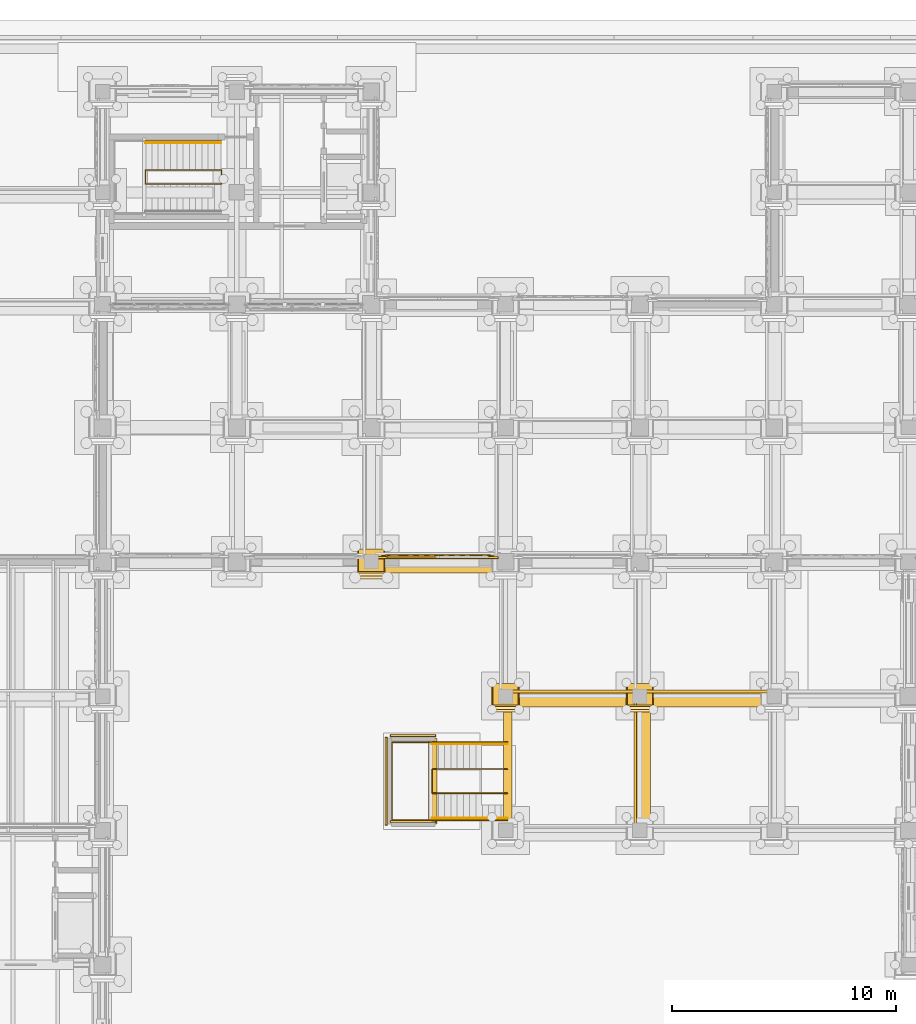
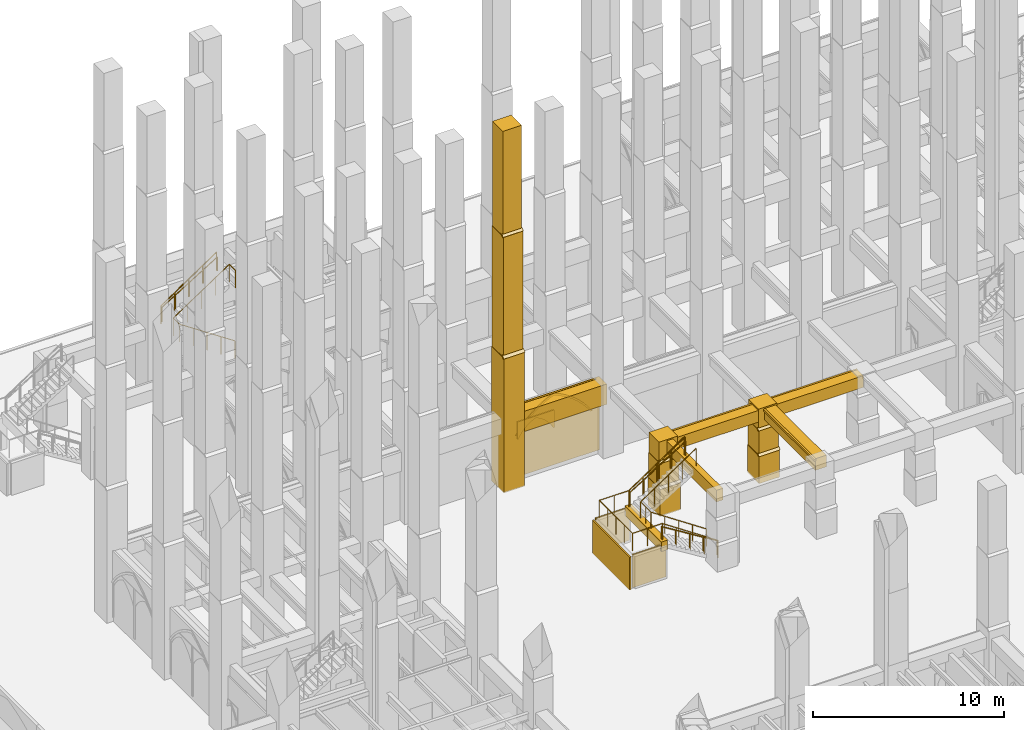
# One storey, part 91 of 135: 31 coverings, 9 railings.
"""IFC4 building model written with IfcOpenShell, lengths in metres."""

from ifc_helpers import new_model, si_unit, direction, frame, origin, origin_2d, place, context, subcontext, project, spatial, polyline, rectangle, circle, outline, extrude, material, type_object, element, save


model = new_model("IFC4")

# Units and contexts
model_context = context("Model", 3, precision=1e-05, world=origin(), true_north=direction((0.0, 1.0)))
body_context = subcontext(model_context, "Body", "Model", "MODEL_VIEW")
ifc_project = project(units=[si_unit("LENGTHUNIT", "METRE"), si_unit("AREAUNIT", "SQUARE_METRE"), si_unit("VOLUMEUNIT", "CUBIC_METRE"), si_unit("PLANEANGLEUNIT", "RADIAN"), si_unit("MASSUNIT", "GRAM", prefix="KILO")], contexts=[model_context])

# Site, building, storey
site_placement = place(None, origin())
site = spatial("IfcSite", under=ifc_project, at=site_placement, CompositionType="ELEMENT")
building_placement = place(site_placement, origin())
building = spatial("IfcBuilding", under=site, at=building_placement, Name="Cumevento Cable Car Station", CompositionType="ELEMENT")
storey_placement = place(building_placement, origin())
storey = spatial("IfcBuildingStorey", under=building, at=storey_placement, Name="L01", CompositionType="ELEMENT", Elevation=0.0)

# Railings
ifc_material_1 = material(Name="Painted Galvanised Architectural Steel", Category="steel")
railing_type_1 = type_object("IfcRailingType", Name="Stair Guardrail GR-S115", PredefinedType="GUARDRAIL", material=ifc_material_1)
railing_1_placement = place(storey_placement, frame((27.280029296875, 61.8701171875, 0.0)))
element("IfcRailing", 1, at=railing_1_placement, inside=storey, type_object=railing_type_1, Name="Stair Well Inner Guardrail ST-04-L01", PredefinedType="GUARDRAIL", context=body_context, shape_type="SweptSolid", body=[
    extrude(circle(Radius=0.02392578125, at=origin_2d()), frame((0.0, 0.0, 1.1259765625), z_axis=(-0.830915400975, 0.0, 0.556398774641), x_axis=(0.0, -1.0, 0.0)), (0.0, 0.0, 1.0), 4.0439453125),
    extrude(circle(Radius=0.02392578125, at=origin_2d()), frame((-3.360107421875, 0.0, 3.3759765625), z_axis=(0.0, 1.0, 0.0), x_axis=(-1.0, 0.0, 0.0)), (0.0, 0.0, 1.0), 0.6298828125),
    extrude(circle(Radius=0.02392578125, at=origin_2d()), frame((-3.360107421875, 0.6298828125, 3.3759765625), z_axis=(0.833193183746, 0.0, 0.552982023722), x_axis=(0.0, 1.0, 0.0)), (0.0, 0.0, 1.0), 4.06884765625),
    extrude(circle(Radius=0.02392578125, at=origin_2d()), frame((0.030029296875, 0.6298828125, 5.6259765625), z_axis=(0.0, -1.0, 0.0), x_axis=(1.0, 0.0, 0.0)), (0.0, 0.0, 1.0), 0.6298828125),
    extrude(circle(Radius=0.02001953125, at=origin_2d()), origin(), (0.0, 0.0, 1.0), 1.101806640625),
    extrude(circle(Radius=0.02001953125, at=origin_2d()), frame((-0.840087890625, 0.0, 0.5625)), (0.0, 0.0, 1.0), 1.101806640625),
    extrude(circle(Radius=0.02001953125, at=origin_2d()), frame((-1.68017578125, 0.0, 1.125)), (0.0, 0.0, 1.0), 1.101806640625),
    extrude(circle(Radius=0.02001953125, at=origin_2d()), frame((-2.52001953125, 0.0, 1.6875)), (0.0, 0.0, 1.0), 1.101806640625),
    extrude(circle(Radius=0.02001953125, at=origin_2d()), frame((-3.360107421875, 0.0, 2.25)), (0.0, 0.0, 1.0), 1.101806640625),
    extrude(circle(Radius=0.02001953125, at=origin_2d()), frame((-3.360107421875, 0.6298828125, 2.25)), (0.0, 0.0, 1.0), 1.101806640625),
    extrude(circle(Radius=0.02001953125, at=origin_2d()), frame((-2.5126953125, 0.6298828125, 2.8125)), (0.0, 0.0, 1.0), 1.101806640625),
    extrude(circle(Radius=0.02001953125, at=origin_2d()), frame((-1.6650390625, 0.6298828125, 3.375)), (0.0, 0.0, 1.0), 1.101806640625),
    extrude(circle(Radius=0.02001953125, at=origin_2d()), frame((-0.8173828125, 0.6298828125, 3.9375)), (0.0, 0.0, 1.0), 1.101806640625),
    extrude(circle(Radius=0.02001953125, at=origin_2d()), frame((0.030029296875, 0.6298828125, 4.5)), (0.0, 0.0, 1.0), 1.101806640625),
    extrude(circle(Radius=0.02001953125, at=origin_2d()), frame((0.030029296875, 0.0, 4.5)), (0.0, 0.0, 1.0), 1.101806640625),
])
railing_2_placement = place(storey_placement, frame((23.919921875, 63.7900390625, 2.25)))
element("IfcRailing", 2, at=railing_2_placement, inside=storey, type_object=railing_type_1, Name="Stair Outer Guardrail ST-04-L01 F2", PredefinedType="GUARDRAIL", context=body_context, shape_type="SweptSolid", body=[
    extrude(circle(Radius=0.02392578125, at=origin_2d()), frame((0.0, 0.0, 1.1259765625), z_axis=(0.830915400975, 0.0, 0.556398774641), x_axis=(0.0, 1.0, 0.0)), (0.0, 0.0, 1.0), 4.0439453125),
    extrude(circle(Radius=0.02001953125, at=origin_2d()), origin(), (0.0, 0.0, 1.0), 1.101806640625),
    extrude(circle(Radius=0.02001953125, at=origin_2d()), frame((0.840087890625, 0.0, 0.5625)), (0.0, 0.0, 1.0), 1.101806640625),
    extrude(circle(Radius=0.02001953125, at=origin_2d()), frame((1.68017578125, 0.0, 1.125)), (0.0, 0.0, 1.0), 1.101806640625),
    extrude(circle(Radius=0.02001953125, at=origin_2d()), frame((2.52001953125, 0.0, 1.6875)), (0.0, 0.0, 1.0), 1.101806640625),
    extrude(circle(Radius=0.02001953125, at=origin_2d()), frame((3.360107421875, 0.0, 2.25)), (0.0, 0.0, 1.0), 1.101806640625),
])
railing_3_placement = place(storey_placement, frame((40.080078125, 34.659912109375, 0.0)))
element("IfcRailing", 3, at=railing_3_placement, inside=storey, type_object=railing_type_1, Name="Stair Well Inner Guardrail ST-14", PredefinedType="GUARDRAIL", context=body_context, shape_type="SweptSolid", body=[
    extrude(circle(Radius=0.02392578125, at=origin_2d()), frame((0.0, 0.0, 1.1259765625), z_axis=(-0.830915400975, 0.0, 0.556398774641), x_axis=(0.0, -1.0, 0.0)), (0.0, 0.0, 1.0), 4.0439453125),
    extrude(circle(Radius=0.02392578125, at=origin_2d()), frame((-3.360107421875, 0.0, 3.3759765625), z_axis=(0.0, 1.0, 0.0), x_axis=(-1.0, 0.0, 0.0)), (0.0, 0.0, 1.0), 1.080078125),
    extrude(circle(Radius=0.02392578125, at=origin_2d()), frame((-3.360107421875, 1.080078125, 3.3759765625), z_axis=(0.830915400975, 0.0, 0.556398774641), x_axis=(0.0, 1.0, 0.0)), (0.0, 0.0, 1.0), 4.0439453125),
    extrude(circle(Radius=0.02001953125, at=origin_2d()), origin(), (0.0, 0.0, 1.0), 1.101806640625),
    extrude(circle(Radius=0.02001953125, at=origin_2d()), frame((-0.840087890625, 0.0, 0.5625)), (0.0, 0.0, 1.0), 1.101806640625),
    extrude(circle(Radius=0.02001953125, at=origin_2d()), frame((-1.68017578125, 0.0, 1.125)), (0.0, 0.0, 1.0), 1.101806640625),
    extrude(circle(Radius=0.02001953125, at=origin_2d()), frame((-2.52001953125, 0.0, 1.6875)), (0.0, 0.0, 1.0), 1.101806640625),
    extrude(circle(Radius=0.02001953125, at=origin_2d()), frame((-3.360107421875, 0.0, 2.25)), (0.0, 0.0, 1.0), 1.101806640625),
    extrude(circle(Radius=0.02001953125, at=origin_2d()), frame((-3.360107421875, 0.5400390625, 2.25)), (0.0, 0.0, 1.0), 1.101806640625),
    extrude(circle(Radius=0.02001953125, at=origin_2d()), frame((-3.360107421875, 1.080078125, 2.25)), (0.0, 0.0, 1.0), 1.101806640625),
    extrude(circle(Radius=0.02001953125, at=origin_2d()), frame((-2.52001953125, 1.080078125, 2.8125)), (0.0, 0.0, 1.0), 1.101806640625),
    extrude(circle(Radius=0.02001953125, at=origin_2d()), frame((-1.68017578125, 1.080078125, 3.375)), (0.0, 0.0, 1.0), 1.101806640625),
    extrude(circle(Radius=0.02001953125, at=origin_2d()), frame((-0.840087890625, 1.080078125, 3.9375)), (0.0, 0.0, 1.0), 1.101806640625),
    extrude(circle(Radius=0.02001953125, at=origin_2d()), frame((0.0, 1.080078125, 4.5)), (0.0, 0.0, 1.0), 1.101806640625),
])
railing_4_placement = place(storey_placement, frame((36.719970703125, 33.4599609375, 2.25)))
element("IfcRailing", 4, at=railing_4_placement, inside=storey, type_object=railing_type_1, Name="Stair Half-Landing Guardrail ST-14", PredefinedType="GUARDRAIL", context=body_context, shape_type="SweptSolid", body=[
    extrude(circle(Radius=0.02392578125, at=origin_2d()), frame((0.0, 0.0, 1.1259765625), z_axis=(-1.0, 0.0, 0.0), x_axis=(0.0, -1.0, 0.0)), (0.0, 0.0, 1.0), 1.800048828125),
    extrude(circle(Radius=0.02392578125, at=origin_2d()), frame((-1.800048828125, 0.0, 1.1259765625), z_axis=(0.0, 1.0, 0.0), x_axis=(-1.0, 0.0, 0.0)), (0.0, 0.0, 1.0), 3.47998046875),
    extrude(circle(Radius=0.02392578125, at=origin_2d()), frame((-1.800048828125, 3.47998046875, 1.1259765625), z_axis=(1.0, 0.0, 0.0), x_axis=(0.0, 1.0, 0.0)), (0.0, 0.0, 1.0), 1.800048828125),
    extrude(circle(Radius=0.02001953125, at=origin_2d()), origin(), (0.0, 0.0, 1.0), 1.101806640625),
    extrude(circle(Radius=0.02001953125, at=origin_2d()), frame((-0.89990234375, 0.0, 0.0)), (0.0, 0.0, 1.0), 1.101806640625),
    extrude(circle(Radius=0.02001953125, at=origin_2d()), frame((-1.800048828125, 0.0, 0.0)), (0.0, 0.0, 1.0), 1.101806640625),
    extrude(circle(Radius=0.02001953125, at=origin_2d()), frame((-1.800048828125, 0.8701171875, 0.0)), (0.0, 0.0, 1.0), 1.101806640625),
    extrude(circle(Radius=0.02001953125, at=origin_2d()), frame((-1.800048828125, 1.739990234375, 0.0)), (0.0, 0.0, 1.0), 1.101806640625),
    extrude(circle(Radius=0.02001953125, at=origin_2d()), frame((-1.800048828125, 2.60986328125, 0.0)), (0.0, 0.0, 1.0), 1.101806640625),
    extrude(circle(Radius=0.02001953125, at=origin_2d()), frame((-1.800048828125, 3.47998046875, 0.0)), (0.0, 0.0, 1.0), 1.101806640625),
    extrude(circle(Radius=0.02001953125, at=origin_2d()), frame((-0.89990234375, 3.47998046875, 0.0)), (0.0, 0.0, 1.0), 1.101806640625),
    extrude(circle(Radius=0.02001953125, at=origin_2d()), frame((0.0, 3.47998046875, 0.0)), (0.0, 0.0, 1.0), 1.101806640625),
])
railing_5_placement = place(storey_placement, frame((40.080078125, 33.4599609375, 0.0)))
element("IfcRailing", 5, at=railing_5_placement, inside=storey, type_object=railing_type_1, Name="Stair Outer Guardrail ST-14 F1", PredefinedType="GUARDRAIL", context=body_context, shape_type="SweptSolid", body=[
    extrude(circle(Radius=0.02392578125, at=origin_2d()), frame((0.0, 0.0, 1.1259765625), z_axis=(-0.830915400975, 0.0, 0.556398774641), x_axis=(0.0, -1.0, 0.0)), (0.0, 0.0, 1.0), 4.0439453125),
    extrude(circle(Radius=0.02001953125, at=origin_2d()), origin(), (0.0, 0.0, 1.0), 1.101806640625),
    extrude(circle(Radius=0.02001953125, at=origin_2d()), frame((-0.840087890625, 0.0, 0.5625)), (0.0, 0.0, 1.0), 1.101806640625),
    extrude(circle(Radius=0.02001953125, at=origin_2d()), frame((-1.68017578125, 0.0, 1.125)), (0.0, 0.0, 1.0), 1.101806640625),
    extrude(circle(Radius=0.02001953125, at=origin_2d()), frame((-2.52001953125, 0.0, 1.6875)), (0.0, 0.0, 1.0), 1.101806640625),
    extrude(circle(Radius=0.02001953125, at=origin_2d()), frame((-3.360107421875, 0.0, 2.25)), (0.0, 0.0, 1.0), 1.101806640625),
])
railing_6_placement = place(storey_placement, frame((36.719970703125, 36.93994140625, 2.25)))
element("IfcRailing", 6, at=railing_6_placement, inside=storey, type_object=railing_type_1, Name="Stair Outer Guardrail ST-14 F2", PredefinedType="GUARDRAIL", context=body_context, shape_type="SweptSolid", body=[
    extrude(circle(Radius=0.02392578125, at=origin_2d()), frame((0.0, 0.0, 1.1259765625), z_axis=(0.830915400975, 0.0, 0.556398774641), x_axis=(0.0, 1.0, 0.0)), (0.0, 0.0, 1.0), 4.0439453125),
    extrude(circle(Radius=0.02001953125, at=origin_2d()), origin(), (0.0, 0.0, 1.0), 1.101806640625),
    extrude(circle(Radius=0.02001953125, at=origin_2d()), frame((0.840087890625, 0.0, 0.5625)), (0.0, 0.0, 1.0), 1.101806640625),
    extrude(circle(Radius=0.02001953125, at=origin_2d()), frame((1.68017578125, 0.0, 1.125)), (0.0, 0.0, 1.0), 1.101806640625),
    extrude(circle(Radius=0.02001953125, at=origin_2d()), frame((2.52001953125, 0.0, 1.6875)), (0.0, 0.0, 1.0), 1.101806640625),
    extrude(circle(Radius=0.02001953125, at=origin_2d()), frame((3.360107421875, 0.0, 2.25)), (0.0, 0.0, 1.0), 1.101806640625),
])
ifc_material_2 = material(Name="Brushed Stainless Steel Handrail Tube", Category="steel")
railing_type_2 = type_object("IfcRailingType", Name="Stair Handrail HR-090", PredefinedType="HANDRAIL", material=ifc_material_2)
railing_7_placement = place(storey_placement, frame((23.919921875, 63.7099609375, 2.42626953125)))
element("IfcRailing", 7, at=railing_7_placement, inside=storey, type_object=railing_type_2, Name="Stair Pitch Handrail ST-04-L01 F2", PredefinedType="HANDRAIL", context=body_context, shape_type="SweptSolid", body=[
    extrude(circle(Radius=0.02099609375, at=origin_2d()), frame((0.0, 0.0, 0.87890625), z_axis=(0.850623216509, 0.0, 0.525775754039), x_axis=(0.0, 1.0, 0.0)), (0.0, 0.0, 1.0), 3.9501953125),
    extrude(circle(Radius=0.01611328125, at=origin_2d()), origin(), (0.0, 0.0, 1.0), 0.85791015625),
    extrude(circle(Radius=0.01611328125, at=origin_2d()), frame((0.840087890625, 0.0, 0.519287109375)), (0.0, 0.0, 1.0), 0.85791015625),
    extrude(circle(Radius=0.01611328125, at=origin_2d()), frame((1.68017578125, 0.0, 1.03857421875)), (0.0, 0.0, 1.0), 0.85791015625),
    extrude(circle(Radius=0.01611328125, at=origin_2d()), frame((2.52001953125, 0.0, 1.5576171875)), (0.0, 0.0, 1.0), 0.85791015625),
    extrude(circle(Radius=0.01611328125, at=origin_2d()), frame((3.360107421875, 0.0, 2.076904296875)), (0.0, 0.0, 1.0), 0.85791015625),
])
railing_8_placement = place(storey_placement, frame((40.080078125, 33.5400390625, 0.17626953125)))
element("IfcRailing", 8, at=railing_8_placement, inside=storey, type_object=railing_type_2, Name="Stair Pitch Handrail ST-14 F1", PredefinedType="HANDRAIL", context=body_context, shape_type="SweptSolid", body=[
    extrude(circle(Radius=0.02099609375, at=origin_2d()), frame((0.0, 0.0, 0.87890625), z_axis=(-0.850623216509, 0.0, 0.525775754039), x_axis=(0.0, -1.0, 0.0)), (0.0, 0.0, 1.0), 3.9501953125),
    extrude(circle(Radius=0.01611328125, at=origin_2d()), origin(), (0.0, 0.0, 1.0), 0.85791015625),
    extrude(circle(Radius=0.01611328125, at=origin_2d()), frame((-0.840087890625, 0.0, 0.519287109375)), (0.0, 0.0, 1.0), 0.85791015625),
    extrude(circle(Radius=0.01611328125, at=origin_2d()), frame((-1.68017578125, 0.0, 1.03857421875)), (0.0, 0.0, 1.0), 0.85791015625),
    extrude(circle(Radius=0.01611328125, at=origin_2d()), frame((-2.52001953125, 0.0, 1.5576171875)), (0.0, 0.0, 1.0), 0.85791015625),
    extrude(circle(Radius=0.01611328125, at=origin_2d()), frame((-3.360107421875, 0.0, 2.076904296875)), (0.0, 0.0, 1.0), 0.85791015625),
])
railing_9_placement = place(storey_placement, frame((36.719970703125, 36.860107421875, 2.42626953125)))
element("IfcRailing", 9, at=railing_9_placement, inside=storey, type_object=railing_type_2, Name="Stair Pitch Handrail ST-14 F2", PredefinedType="HANDRAIL", context=body_context, shape_type="SweptSolid", body=[
    extrude(circle(Radius=0.02099609375, at=origin_2d()), frame((0.0, 0.0, 0.87890625), z_axis=(0.850623216509, 0.0, 0.525775754039), x_axis=(0.0, 1.0, 0.0)), (0.0, 0.0, 1.0), 3.9501953125),
    extrude(circle(Radius=0.01611328125, at=origin_2d()), origin(), (0.0, 0.0, 1.0), 0.85791015625),
    extrude(circle(Radius=0.01611328125, at=origin_2d()), frame((0.840087890625, 0.0, 0.519287109375)), (0.0, 0.0, 1.0), 0.85791015625),
    extrude(circle(Radius=0.01611328125, at=origin_2d()), frame((1.68017578125, 0.0, 1.03857421875)), (0.0, 0.0, 1.0), 0.85791015625),
    extrude(circle(Radius=0.01611328125, at=origin_2d()), frame((2.52001953125, 0.0, 1.5576171875)), (0.0, 0.0, 1.0), 0.85791015625),
    extrude(circle(Radius=0.01611328125, at=origin_2d()), frame((3.360107421875, 0.0, 2.076904296875)), (0.0, 0.0, 1.0), 0.85791015625),
])

# Coverings
ifc_material_3 = material(Name="Gnaisse Facoidal Stone Ashlar 85 MPa", Category="masonry")
covering_type = type_object("IfcCoveringType", Name="Gnaisse Ashlar Cladding CV-CL01", PredefinedType="CLADDING", material=ifc_material_3)
covering_1_placement = place(storey_placement, frame((34.0, 44.909912109375, -0.06005859375), z_axis=(0.0, 0.0, 1.0), x_axis=(1.0, 0.0, 0.0)))
element("IfcCovering", 10, at=covering_1_placement, inside=storey, type_object=covering_type, Name="Stepped Gothic Stone Buttress Tier 1 bt:34.0:45.0", PredefinedType="CLADDING", context=body_context, shape_type="SweptSolid", body=[
    extrude(rectangle(XDim=1.239990234375, YDim=1.300048828125, at=origin_2d()), origin(), (0.0, 0.0, 1.0), 8.595703125),
])
covering_2_placement = place(storey_placement, frame((33.360107421875, 44.239990234375, 8.515625), z_axis=(0.0, -0.711135781079, 0.703054692658), x_axis=(1.0, 0.0, 0.0)))
element("IfcCovering", 11, at=covering_2_placement, inside=storey, type_object=covering_type, Name="Gothic Buttress Sloped Stone Weathering 1 bt:34.0:45.0", PredefinedType="CLADDING", context=body_context, shape_type="SweptSolid", body=[
    extrude(outline(polyline([(0.0, 0.0), (1.27978515625, 0.0), (1.27978515625, 0.24169083397703695), (0.0, 0.24169083397703695), (0.0, 0.0)])), origin(), (0.0, 0.0, -1.0), 0.090087890625),
])
covering_3_placement = place(storey_placement, frame((34.0, 44.969970703125, 8.0830078125), z_axis=(0.0, 0.0, 1.0), x_axis=(1.0, 0.0, 0.0)))
element("IfcCovering", 12, at=covering_3_placement, inside=storey, type_object=covering_type, Name="Stepped Gothic Stone Buttress Tier 2 bt:34.0:45.0", PredefinedType="CLADDING", context=body_context, shape_type="SweptSolid", body=[
    extrude(rectangle(XDim=1.179931640625, YDim=1.179931640625, at=origin_2d()), origin(), (0.0, 0.0, 1.0), 8.143310546875),
])
covering_4_placement = place(storey_placement, frame((33.389892578125, 44.360107421875, 16.206298828125), z_axis=(0.0, -0.714474823669, 0.699661151089), x_axis=(1.0, 0.0, 0.0)))
element("IfcCovering", 13, at=covering_4_placement, inside=storey, type_object=covering_type, Name="Gothic Buttress Sloped Stone Weathering 2 bt:34.0:45.0", PredefinedType="CLADDING", context=body_context, shape_type="SweptSolid", body=[
    extrude(outline(polyline([(0.0, 0.0), (1.22021484375, 0.0), (1.22021484375, 0.21424991728737655), (0.0, 0.21424991728737655), (0.0, 0.0)])), origin(), (0.0, 0.0, -1.0), 0.090087890625),
])
covering_5_placement = place(storey_placement, frame((34.0, 45.02001953125, 15.77392578125), z_axis=(0.0, 0.0, 1.0), x_axis=(1.0, 0.0, 0.0)))
element("IfcCovering", 14, at=covering_5_placement, inside=storey, type_object=covering_type, Name="Stepped Gothic Stone Buttress Tier 3 bt:34.0:45.0", PredefinedType="CLADDING", context=body_context, shape_type="SweptSolid", body=[
    extrude(rectangle(XDim=1.1201171875, YDim=1.080078125, at=origin_2d()), origin(), (0.0, 0.0, 1.0), 7.1259765625),
])
covering_6_placement = place(storey_placement, frame((40.0, 38.93994140625, -0.06005859375), z_axis=(0.0, 0.0, 1.0), x_axis=(1.0, 0.0, 0.0)))
element("IfcCovering", 15, at=covering_6_placement, inside=storey, type_object=covering_type, Name="Stepped Gothic Stone Buttress Tier 1 bt:40.0:39.0", PredefinedType="CLADDING", context=body_context, shape_type="SweptSolid", body=[
    extrude(rectangle(XDim=1.239990234375, YDim=1.239990234375, at=origin_2d()), origin(), (0.0, 0.0, 1.0), 1.755615234375),
])
covering_7_placement = place(storey_placement, frame((39.360107421875, 38.300048828125, 1.675537109375), z_axis=(0.0, -0.714474823669, 0.699661151089), x_axis=(1.0, 0.0, 0.0)))
element("IfcCovering", 16, at=covering_7_placement, inside=storey, type_object=covering_type, Name="Gothic Buttress Sloped Stone Weathering 1 bt:40.0:39.0", PredefinedType="CLADDING", context=body_context, shape_type="SweptSolid", body=[
    extrude(outline(polyline([(0.0, 0.0), (1.27978515625, 0.0), (1.27978515625, 0.21424991728737658), (0.0, 0.21424991728737658), (0.0, 0.0)])), origin(), (0.0, 0.0, -1.0), 0.090087890625),
])
covering_8_placement = place(storey_placement, frame((40.0, 38.989990234375, 1.603271484375), z_axis=(0.0, 0.0, 1.0), x_axis=(1.0, 0.0, 0.0)))
element("IfcCovering", 17, at=covering_8_placement, inside=storey, type_object=covering_type, Name="Stepped Gothic Stone Buttress Tier 2 bt:40.0:39.0", PredefinedType="CLADDING", context=body_context, shape_type="SweptSolid", body=[
    extrude(rectangle(XDim=1.179931640625, YDim=1.139892578125, at=origin_2d()), origin(), (0.0, 0.0, 1.0), 1.6630859375),
])
covering_9_placement = place(storey_placement, frame((39.389892578125, 38.39990234375, 3.246337890625), z_axis=(0.0, -0.715574205881, 0.698536724788), x_axis=(1.0, 0.0, 0.0)))
element("IfcCovering", 18, at=covering_9_placement, inside=storey, type_object=covering_type, Name="Gothic Buttress Sloped Stone Weathering 2 bt:40.0:39.0", PredefinedType="CLADDING", context=body_context, shape_type="SweptSolid", body=[
    extrude(outline(polyline([(0.0, 0.0), (1.22021484375, 0.0), (1.22021484375, 0.2006146760464928), (0.0, 0.2006146760464928), (0.0, 0.0)])), origin(), (0.0, 0.0, -1.0), 0.090087890625),
])
covering_10_placement = place(storey_placement, frame((40.0, 39.034912109375, 3.173828125), z_axis=(0.0, 0.0, 1.0), x_axis=(1.0, 0.0, 0.0)))
element("IfcCovering", 19, at=covering_10_placement, inside=storey, type_object=covering_type, Name="Stepped Gothic Stone Buttress Tier 3 bt:40.0:39.0", PredefinedType="CLADDING", context=body_context, shape_type="SweptSolid", body=[
    extrude(rectangle(XDim=1.1201171875, YDim=1.050048828125, at=origin_2d()), origin(), (0.0, 0.0, 1.0), 1.385986328125),
])
covering_11_placement = place(storey_placement, frame((46.0, 38.93994140625, -0.06005859375), z_axis=(0.0, 0.0, 1.0), x_axis=(1.0, 0.0, 0.0)))
element("IfcCovering", 20, at=covering_11_placement, inside=storey, type_object=covering_type, Name="Stepped Gothic Stone Buttress Tier 1 bt:46.0:39.0", PredefinedType="CLADDING", context=body_context, shape_type="SweptSolid", body=[
    extrude(rectangle(XDim=1.239990234375, YDim=1.239990234375, at=origin_2d()), origin(), (0.0, 0.0, 1.0), 1.755615234375),
])
covering_12_placement = place(storey_placement, frame((45.360107421875, 38.300048828125, 1.675537109375), z_axis=(0.0, -0.714474823669, 0.699661151089), x_axis=(1.0, 0.0, 0.0)))
element("IfcCovering", 21, at=covering_12_placement, inside=storey, type_object=covering_type, Name="Gothic Buttress Sloped Stone Weathering 1 bt:46.0:39.0", PredefinedType="CLADDING", context=body_context, shape_type="SweptSolid", body=[
    extrude(outline(polyline([(0.0, 0.0), (1.27978515625, 0.0), (1.27978515625, 0.21424991728737658), (0.0, 0.21424991728737658), (0.0, 0.0)])), origin(), (0.0, 0.0, -1.0), 0.090087890625),
])
covering_13_placement = place(storey_placement, frame((46.0, 38.989990234375, 1.603271484375), z_axis=(0.0, 0.0, 1.0), x_axis=(1.0, 0.0, 0.0)))
element("IfcCovering", 22, at=covering_13_placement, inside=storey, type_object=covering_type, Name="Stepped Gothic Stone Buttress Tier 2 bt:46.0:39.0", PredefinedType="CLADDING", context=body_context, shape_type="SweptSolid", body=[
    extrude(rectangle(XDim=1.179931640625, YDim=1.139892578125, at=origin_2d()), origin(), (0.0, 0.0, 1.0), 1.6630859375),
])
covering_14_placement = place(storey_placement, frame((45.389892578125, 38.39990234375, 3.246337890625), z_axis=(0.0, -0.715574205881, 0.698536724788), x_axis=(1.0, 0.0, 0.0)))
element("IfcCovering", 23, at=covering_14_placement, inside=storey, type_object=covering_type, Name="Gothic Buttress Sloped Stone Weathering 2 bt:46.0:39.0", PredefinedType="CLADDING", context=body_context, shape_type="SweptSolid", body=[
    extrude(outline(polyline([(0.0, 0.0), (1.22021484375, 0.0), (1.22021484375, 0.2006146760464928), (0.0, 0.2006146760464928), (0.0, 0.0)])), origin(), (0.0, 0.0, -1.0), 0.090087890625),
])
covering_15_placement = place(storey_placement, frame((46.0, 39.034912109375, 3.173828125), z_axis=(0.0, 0.0, 1.0), x_axis=(1.0, 0.0, 0.0)))
element("IfcCovering", 24, at=covering_15_placement, inside=storey, type_object=covering_type, Name="Stepped Gothic Stone Buttress Tier 3 bt:46.0:39.0", PredefinedType="CLADDING", context=body_context, shape_type="SweptSolid", body=[
    extrude(rectangle(XDim=1.1201171875, YDim=1.050048828125, at=origin_2d()), origin(), (0.0, 0.0, 1.0), 1.385986328125),
])
covering_16_placement = place(storey_placement, frame((36.97509765625, 44.919921875, 3.239990234375), z_axis=(0.0, 0.0, 1.0), x_axis=(1.0, 0.0, 0.0)))
element("IfcCovering", 25, at=covering_16_placement, inside=storey, type_object=covering_type, Name="Gothic Stone Spandrel Stringcourse sc:0078", PredefinedType="CLADDING", context=body_context, shape_type="SweptSolid", body=[
    extrude(rectangle(XDim=5.5400390625, YDim=0.820068359375, at=origin_2d()), origin(), (0.0, 0.0, 1.0), 1.2900390625),
])
covering_17_placement = place(storey_placement, frame((43.0, 38.85009765625, 3.73291015625), z_axis=(0.0, 0.0, 1.0), x_axis=(1.0, 0.0, 0.0)))
element("IfcCovering", 26, at=covering_17_placement, inside=storey, type_object=covering_type, Name="Gothic Stone Spandrel Stringcourse sc:0827", PredefinedType="CLADDING", context=body_context, shape_type="SweptSolid", body=[
    extrude(rectangle(XDim=5.590087890625, YDim=0.659912109375, at=origin_2d()), origin(), (0.0, 0.0, 1.0), 0.7470703125),
])
covering_18_placement = place(storey_placement, frame((43.0, 39.20751953125, 4.35009765625), z_axis=(0.0, 0.0, 1.0), x_axis=(1.0, 0.0, 0.0)))
element("IfcCovering", 27, at=covering_18_placement, inside=storey, type_object=covering_type, Name="Gothic Cornice Dripstone Lip sc:0827", PredefinedType="CLADDING", context=body_context, shape_type="SweptSolid", body=[
    extrude(rectangle(XDim=5.6298828125, YDim=0.114990234375, at=origin_2d()), origin(), (0.0, 0.0, 1.0), 0.1298828125),
])
covering_19_placement = place(storey_placement, frame((49.0, 38.85009765625, 3.73291015625), z_axis=(0.0, 0.0, 1.0), x_axis=(1.0, 0.0, 0.0)))
element("IfcCovering", 28, at=covering_19_placement, inside=storey, type_object=covering_type, Name="Gothic Stone Spandrel Stringcourse sc:0828", PredefinedType="CLADDING", context=body_context, shape_type="SweptSolid", body=[
    extrude(rectangle(XDim=5.590087890625, YDim=0.659912109375, at=origin_2d()), origin(), (0.0, 0.0, 1.0), 0.7470703125),
])
covering_20_placement = place(storey_placement, frame((49.0, 39.20751953125, 4.35009765625), z_axis=(0.0, 0.0, 1.0), x_axis=(1.0, 0.0, 0.0)))
element("IfcCovering", 29, at=covering_20_placement, inside=storey, type_object=covering_type, Name="Gothic Cornice Dripstone Lip sc:0828", PredefinedType="CLADDING", context=body_context, shape_type="SweptSolid", body=[
    extrude(rectangle(XDim=5.6298828125, YDim=0.114990234375, at=origin_2d()), origin(), (0.0, 0.0, 1.0), 0.1298828125),
])
covering_21_placement = place(storey_placement, frame((40.090087890625, 36.0, 3.73291015625), z_axis=(0.0, 0.0, 1.0), x_axis=(0.0, 1.0, 0.0)))
element("IfcCovering", 30, at=covering_21_placement, inside=storey, type_object=covering_type, Name="Gothic Stone Spandrel Stringcourse sc:0830", PredefinedType="CLADDING", context=body_context, shape_type="SweptSolid", body=[
    extrude(rectangle(XDim=5.409912109375, YDim=0.3798828125, at=origin_2d()), origin(), (0.0, 0.0, 1.0), 0.7470703125),
])
covering_22_placement = place(storey_placement, frame((46.14990234375, 36.0, 3.73291015625), z_axis=(0.0, 0.0, 1.0), x_axis=(0.0, 1.0, 0.0)))
element("IfcCovering", 31, at=covering_22_placement, inside=storey, type_object=covering_type, Name="Gothic Stone Spandrel Stringcourse sc:0832", PredefinedType="CLADDING", context=body_context, shape_type="SweptSolid", body=[
    extrude(rectangle(XDim=5.590087890625, YDim=0.659912109375, at=origin_2d()), origin(), (0.0, 0.0, 1.0), 0.7470703125),
])
covering_23_placement = place(storey_placement, frame((45.79248046875, 36.0, 4.35009765625), z_axis=(0.0, 0.0, 1.0), x_axis=(0.0, 1.0, 0.0)))
element("IfcCovering", 32, at=covering_23_placement, inside=storey, type_object=covering_type, Name="Gothic Cornice Dripstone Lip sc:0832", PredefinedType="CLADDING", context=body_context, shape_type="SweptSolid", body=[
    extrude(rectangle(XDim=5.6298828125, YDim=0.114990234375, at=origin_2d()), origin(), (0.0, 0.0, 1.0), 0.1298828125),
])
covering_24_placement = place(storey_placement, frame((36.75, 35.199951171875, 1.740966796875), z_axis=(0.0, 0.0, 1.0), x_axis=(0.0, 1.0, 0.0)))
element("IfcCovering", 33, at=covering_24_placement, inside=storey, type_object=covering_type, Name="Gothic Stone Spandrel Stringcourse sc:0848", PredefinedType="CLADDING", context=body_context, shape_type="SweptSolid", body=[
    extrude(rectangle(XDim=3.820068359375, YDim=0.3798828125, at=origin_2d()), origin(), (0.0, 0.0, 1.0), 0.60595703125),
])
covering_25_placement = place(storey_placement, frame((34.324951171875, 45.0, 0.0), z_axis=(0.0, 0.0, 1.0), x_axis=(1.0, 0.0, 0.0)))
element("IfcCovering", 34, at=covering_25_placement, inside=storey, type_object=covering_type, Name="Exterior Gnaisse Stone Wall Ashlar #13", PredefinedType="CLADDING", context=body_context, shape_type="SweptSolid", body=[
    extrude(outline(polyline([(-0.0400390625, -0.02001953125), (5.340087890625, -0.02001953125), (5.340087890625, 4.52001953125), (-0.0400390625, 4.52001953125), (-0.0400390625, -0.02001953125)])), frame((0.0, 0.22509765625, 0.0), z_axis=(0.0, -1.0, 0.0), x_axis=(1.0, 0.0, 0.0)), (0.0, 0.0, 1.0), 0.0849609375),
])
covering_26_placement = place(storey_placement, frame((34.5048828125, 45.0, 0.300048828125), z_axis=(0.0, 0.0, 1.0), x_axis=(1.0, 0.0, 0.0)))
element("IfcCovering", 35, at=covering_26_placement, inside=storey, type_object=covering_type, Name="Gothic Ogival Pointed-Arch Stone Spandrel blind_ogival:0013", PredefinedType="CLADDING", context=body_context, shape_type="SweptSolid", body=[
    extrude(outline(polyline([(-0.050048828125, 0.0), (-0.050048828125, 4.239990234375), (4.989990234375, 4.239990234375), (4.989990234375, 0.0), (4.679931640625, 0.0), (4.679931640625, 2.219970703125), (4.440185546875, 2.557373046875), (4.171142578125, 2.871826171875), (3.875, 3.160888671875), (3.55419921875, 3.422119140625), (3.211181640625, 3.65380859375), (2.848876953125, 3.853515625), (2.469970703125, 4.02001953125), (2.091064453125, 3.853515625), (1.728759765625, 3.65380859375), (1.3857421875, 3.422119140625), (1.06494140625, 3.160888671875), (0.768798828125, 2.871826171875), (0.499755859375, 2.557373046875), (0.260009765625, 2.219970703125), (0.260009765625, 0.0), (-0.050048828125, 0.0)])), frame((0.0, 0.280029296875, 0.0), z_axis=(0.0, -1.0, 0.0), x_axis=(1.0, 0.0, 0.0)), (0.0, 0.0, 1.0), 0.110107421875),
])
covering_27_placement = place(storey_placement, frame((34.5048828125, 45.0, 2.52001953125), z_axis=(0.0, 0.0, 1.0), x_axis=(1.0, 0.0, 0.0)))
element("IfcCovering", 36, at=covering_27_placement, inside=storey, type_object=covering_type, Name="Gothic Pointed Archivolt Hood Moulding blind_ogival:0013", PredefinedType="CLADDING", context=body_context, shape_type="SweptSolid", body=[
    extrude(outline(polyline([(0.260009765625, 0.0), (0.499755859375, 0.33740234375), (0.768798828125, 0.65185546875), (1.06494140625, 0.94091796875), (1.3857421875, 1.2021484375), (1.728759765625, 1.433837890625), (2.091064453125, 1.633544921875), (2.469970703125, 1.800048828125), (2.848876953125, 1.633544921875), (3.211181640625, 1.433837890625), (3.55419921875, 1.2021484375), (3.875, 0.94091796875), (4.171142578125, 0.65185546875), (4.440185546875, 0.33740234375), (4.679931640625, 0.0), (4.801025390625, 0.0), (4.552001953125, 0.36474609375), (4.2705078125, 0.705078125), (3.959228515625, 1.0185546875), (3.62060546875, 1.302001953125), (3.25732421875, 1.55322265625), (2.872802734375, 1.770263671875), (2.469970703125, 1.951171875), (2.067138671875, 1.770263671875), (1.6826171875, 1.55322265625), (1.3193359375, 1.302001953125), (0.980712890625, 1.0185546875), (0.66943359375, 0.705078125), (0.387939453125, 0.36474609375), (0.138916015625, 0.0), (0.260009765625, 0.0)])), frame((0.0, 0.322021484375, 0.0), z_axis=(0.0, -1.0, 0.0), x_axis=(1.0, 0.0, 0.0)), (0.0, 0.0, 1.0), 0.06689453125),
])
covering_28_placement = place(storey_placement, frame((34.735107421875, 45.0, 2.340087890625), z_axis=(0.0, 0.0, 1.0), x_axis=(1.0, 0.0, 0.0)))
element("IfcCovering", 37, at=covering_28_placement, inside=storey, type_object=covering_type, Name="Gothic Ogival Pointed-Arch Stone Spandrel blind_ogival:0013:sub:0", PredefinedType="CLADDING", context=body_context, shape_type="SweptSolid", body=[
    extrude(outline(polyline([(-0.02001953125, 0.0), (-0.02001953125, 1.115966796875), (2.215087890625, 1.115966796875), (2.215087890625, 0.0), (2.155029296875, 0.0), (2.03125, 0.213623046875), (1.88330078125, 0.411376953125), (1.713623046875, 0.5908203125), (1.5244140625, 0.74951171875), (1.318115234375, 0.885009765625), (1.097412109375, 0.99609375), (0.876953125, 0.885009765625), (0.670654296875, 0.74951171875), (0.4814453125, 0.5908203125), (0.311767578125, 0.411376953125), (0.163818359375, 0.213623046875), (0.0400390625, 0.0), (-0.02001953125, 0.0)])), frame((0.0, 0.263916015625, 0.0), z_axis=(0.0, -1.0, 0.0), x_axis=(1.0, 0.0, 0.0)), (0.0, 0.0, 1.0), 0.090087890625),
])
covering_29_placement = place(storey_placement, frame((34.780029296875, 33.280029296875, 0.0), z_axis=(0.0, 0.0, 1.0), x_axis=(0.0, 1.0, 0.0)))
element("IfcCovering", 38, at=covering_29_placement, inside=storey, type_object=covering_type, Name="Exterior Gnaisse Stone Wall Ashlar #310", PredefinedType="CLADDING", context=body_context, shape_type="SweptSolid", body=[
    extrude(outline(polyline([(-0.0400390625, -0.02001953125), (3.8798828125, -0.02001953125), (3.8798828125, 2.0869140625), (-0.0400390625, 2.0869140625), (-0.0400390625, -0.02001953125)])), frame((0.0, 0.159912109375, 0.0), z_axis=(0.0, -1.0, 0.0), x_axis=(1.0, 0.0, 0.0)), (0.0, 0.0, 1.0), 0.0849609375),
])
for number, where, z_axis, x_axis, name in (
    (39, (34.89990234375, 33.280029296875, 0.0), (0.0, 0.0, 1.0), (1.0, 0.0, 0.0), "Exterior Gnaisse Stone Wall Ashlar #311"),
    (40, (34.89990234375, 37.1201171875, 0.0), (0.0, 0.0, 1.0), (1.0, 0.0, 0.0), "Exterior Gnaisse Stone Wall Ashlar #312"),
):
    element("IfcCovering", number, at=place(storey_placement, frame(where, z_axis=z_axis, x_axis=x_axis)), inside=storey, type_object=covering_type, Name=name, PredefinedType="CLADDING", context=body_context, shape_type="SweptSolid", body=[
        extrude(outline(polyline([(-0.0400390625, -0.02001953125), (1.97998046875, -0.02001953125), (1.97998046875, 2.0869140625), (-0.0400390625, 2.0869140625), (-0.0400390625, -0.02001953125)])), frame((0.0, 0.159912109375, 0.0), z_axis=(0.0, -1.0, 0.0), x_axis=(1.0, 0.0, 0.0)), (0.0, 0.0, 1.0), 0.0849609375),
    ])

save(model, "model.ifc")
